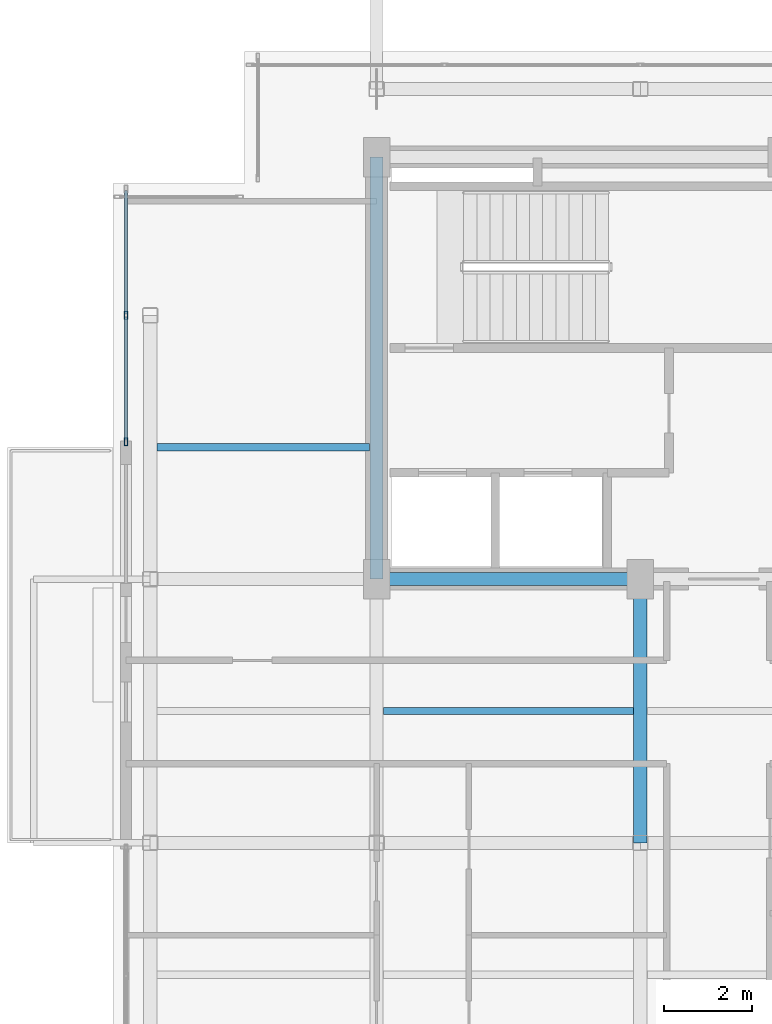
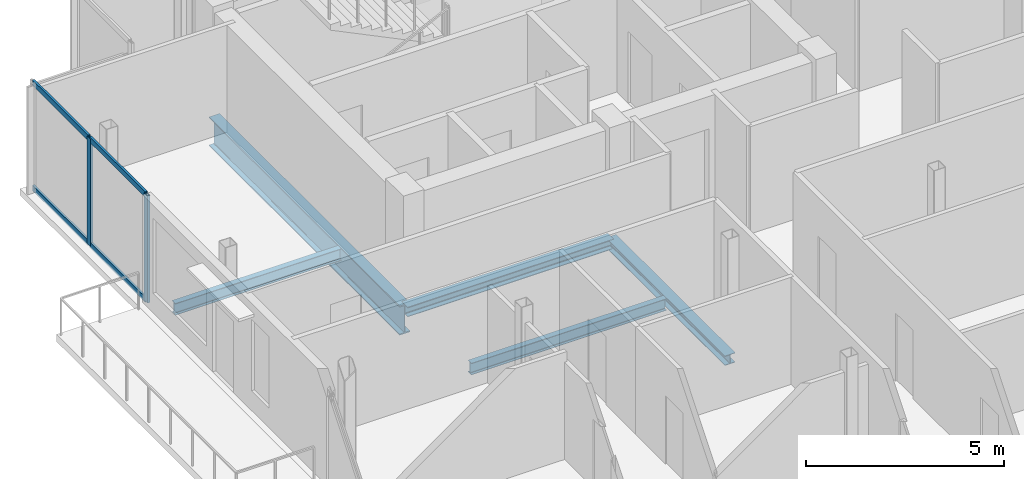
# One storey, part 7 of 18: 6 members, 5 beams, 1 element without a shape of its own.
"""IFC4 building model written with IfcOpenShell, lengths in metres."""

from ifc_helpers import new_model, si_unit, direction, frame, origin, origin_2d, place, context, subcontext, project, spatial, hollow_rectangle, i_section, extrude, material, layer, layer_set, material_profile, profile_set, type_object, element, aggregate, save


model = new_model("IFC4")

# Units and contexts
model_context = context("Model", 3, precision=1e-05, world=origin(), true_north=direction((0.0, 1.0)))
body_context = subcontext(model_context, "Body", "Model", "MODEL_VIEW")
ifc_project = project(units=[si_unit("LENGTHUNIT", "METRE"), si_unit("AREAUNIT", "SQUARE_METRE"), si_unit("VOLUMEUNIT", "CUBIC_METRE"), si_unit("PLANEANGLEUNIT", "RADIAN"), si_unit("MASSUNIT", "GRAM", prefix="KILO"), si_unit("THERMODYNAMICTEMPERATUREUNIT", "KELVIN"), si_unit("POWERUNIT", "WATT")], contexts=[model_context])

# Site, building, storey
site_placement = place(None, origin())
site = spatial("IfcSite", under=ifc_project, at=site_placement, CompositionType="ELEMENT")
building_placement = place(site_placement, origin())
building = spatial("IfcBuilding", under=site, at=building_placement, Name="Svarakhadi Broadcast Tower", CompositionType="ELEMENT")
storey_placement = place(building_placement, frame((0.0, 0.0, 264.199951171875)))
storey = spatial("IfcBuildingStorey", under=building, at=storey_placement, Name="L66", CompositionType="ELEMENT", Elevation=264.199951171875)

# Beams
ifc_material_1 = material(Name="Steel S355J2 (IS 2062 E350C)", Category="steel")
ifc_material_profile_1 = material_profile(ifc_material_1, i_section(OverallWidth=0.169921875, OverallDepth=0.360107421875, WebThickness=0.008056640625, FlangeThickness=0.0126953125, FilletRadius=0.01806640625, at=origin_2d()), Name="NPB 360x170x57")
ifc_profile_set_1 = profile_set([ifc_material_profile_1], Name="Steel S355J2 (IS 2062 E350C)")
beam_type_1 = type_object("IfcBeamType", Name="Beam_NPB360", PredefinedType="BEAM", material=ifc_profile_set_1)
beam_1_placement = place(storey_placement, frame((1.010009765625, 21.0, -0.3798828125), z_axis=(1.0, 0.0, 0.0), x_axis=(0.0, 1.0, 0.0)))
element("IfcBeam", 1, at=beam_1_placement, inside=storey, type_object=beam_type_1, Name="L66 Secondary Composite Beam SB003", PredefinedType="BEAM", context=body_context, shape_type="SweptSolid", body=[
    extrude(i_section(OverallWidth=0.169921875, OverallDepth=0.360107421875, WebThickness=0.008056640625, FlangeThickness=0.0126953125, FilletRadius=0.01806640625, at=origin_2d()), origin(), (0.0, 0.0, 1.0), 4.830078125),
])
beam_2_placement = place(storey_placement, frame((6.159912109375, 15.0, -0.3798828125), z_axis=(1.0, 0.0, 0.0), x_axis=(0.0, 1.0, 0.0)))
element("IfcBeam", 2, at=beam_2_placement, inside=storey, type_object=beam_type_1, Name="L66 Secondary Composite Beam SB006", PredefinedType="BEAM", context=body_context, shape_type="SweptSolid", body=[
    extrude(i_section(OverallWidth=0.169921875, OverallDepth=0.360107421875, WebThickness=0.008056640625, FlangeThickness=0.0126953125, FilletRadius=0.01806640625, at=origin_2d()), origin(), (0.0, 0.0, 1.0), 5.68017578125),
])

# Curtain wall, members
ifc_material_2 = material(Name="Anodised Bronze Aluminium AA 6063-T6", Category="aluminium")
ifc_layer = layer(ifc_material_2, 0.179931640625)
ifc_layer_set = layer_set([ifc_layer], Name="Anodised Bronze Aluminium AA 6063-T6")
curtain_wall_type = type_object("IfcCurtainWallType", Name="CW_Sys_05", PredefinedType="NOTDEFINED", material=ifc_layer_set)
curtain_wall_placement = place(storey_placement, origin())
curtain_wall = element("IfcCurtainWall", 3, at=curtain_wall_placement, inside=storey, type_object=curtain_wall_type, Name="L66 West Curtain Wall 03", PredefinedType="NOTDEFINED")
ifc_material_profile_2 = material_profile(ifc_material_2, hollow_rectangle(XDim=0.070068359375, YDim=0.179931640625, WallThickness=0.005615234375, at=origin_2d()), Name="ALU MULLION 180x70x6")
ifc_profile_set_2 = profile_set([ifc_material_profile_2], Name="Anodised Bronze Aluminium AA 6063-T6")
member_type_1 = type_object("IfcMemberType", Name="CW_Sys_05_Mul", PredefinedType="MULLION", material=ifc_profile_set_2)
member_1_placement = place(storey_placement, frame((0.300048828125, 21.125, 0.0), z_axis=(0.0, 0.0, 1.0), x_axis=(-1.0, 0.0, 0.0)))
member_1 = element("IfcMember", 4, at=member_1_placement, type_object=member_type_1, Name="CW-05 mullion 1", PredefinedType="MULLION", context=body_context, shape_type="SweptSolid", body=[
    extrude(hollow_rectangle(XDim=0.070068359375, YDim=0.179931640625, WallThickness=0.005615234375, at=origin_2d()), origin(), (0.0, 0.0, 1.0), 3.300048828125),
])
member_2_placement = place(storey_placement, frame((0.300048828125, 24.0, 0.0), z_axis=(0.0, 0.0, 1.0), x_axis=(-1.0, 0.0, 0.0)))
member_2 = element("IfcMember", 5, at=member_2_placement, type_object=member_type_1, Name="CW-05 mullion 2", PredefinedType="MULLION", context=body_context, shape_type="SweptSolid", body=[
    extrude(hollow_rectangle(XDim=0.070068359375, YDim=0.179931640625, WallThickness=0.005615234375, at=origin_2d()), origin(), (0.0, 0.0, 1.0), 3.300048828125),
])
ifc_material_profile_3 = material_profile(ifc_material_2, hollow_rectangle(XDim=0.06494140625, YDim=0.1650390625, WallThickness=0.0048828125, at=origin_2d()), Name="ALU TRANSOM 165x65x5")
ifc_profile_set_3 = profile_set([ifc_material_profile_3], Name="Anodised Bronze Aluminium AA 6063-T6")
member_type_2 = type_object("IfcMemberType", Name="CW_Sys_05_Trn", PredefinedType="USERDEFINED", material=ifc_profile_set_3)
member_3_placement = place(storey_placement, frame((0.300048828125, 21.159912109375, 0.032470703125), z_axis=(0.0, 1.0, 0.0), x_axis=(-1.0, 0.0, 0.0)))
member_3 = element("IfcMember", 6, at=member_3_placement, type_object=member_type_2, Name="CW-05 transom 1.1", ObjectType="TRANSOM", PredefinedType="USERDEFINED", context=body_context, shape_type="SweptSolid", body=[
    extrude(hollow_rectangle(XDim=0.06494140625, YDim=0.1650390625, WallThickness=0.0048828125, at=origin_2d()), origin(), (0.0, 0.0, 1.0), 2.80517578125),
])
member_4_placement = place(storey_placement, frame((0.300048828125, 21.159912109375, 3.267578125), z_axis=(0.0, 1.0, 0.0), x_axis=(-1.0, 0.0, 0.0)))
member_4 = element("IfcMember", 7, at=member_4_placement, type_object=member_type_2, Name="CW-05 transom 1.2", ObjectType="TRANSOM", PredefinedType="USERDEFINED", context=body_context, shape_type="SweptSolid", body=[
    extrude(hollow_rectangle(XDim=0.06494140625, YDim=0.1650390625, WallThickness=0.0048828125, at=origin_2d()), origin(), (0.0, 0.0, 1.0), 2.80517578125),
])
member_5_placement = place(storey_placement, frame((0.300048828125, 24.034912109375, 0.032470703125), z_axis=(0.0, 1.0, 0.0), x_axis=(-1.0, 0.0, 0.0)))
member_5 = element("IfcMember", 8, at=member_5_placement, type_object=member_type_2, Name="CW-05 transom 2.1", ObjectType="TRANSOM", PredefinedType="USERDEFINED", context=body_context, shape_type="SweptSolid", body=[
    extrude(hollow_rectangle(XDim=0.06494140625, YDim=0.1650390625, WallThickness=0.0048828125, at=origin_2d()), origin(), (0.0, 0.0, 1.0), 2.80517578125),
])
member_6_placement = place(storey_placement, frame((0.300048828125, 24.034912109375, 3.267578125), z_axis=(0.0, 1.0, 0.0), x_axis=(-1.0, 0.0, 0.0)))
member_6 = element("IfcMember", 9, at=member_6_placement, type_object=member_type_2, Name="CW-05 transom 2.2", ObjectType="TRANSOM", PredefinedType="USERDEFINED", context=body_context, shape_type="SweptSolid", body=[
    extrude(hollow_rectangle(XDim=0.06494140625, YDim=0.1650390625, WallThickness=0.0048828125, at=origin_2d()), origin(), (0.0, 0.0, 1.0), 2.80517578125),
])
aggregate(curtain_wall, [member_1, member_2, member_3, member_4, member_5, member_6])

# Beams
ifc_material_profile_4 = material_profile(ifc_material_1, i_section(OverallWidth=0.300048828125, OverallDepth=0.300048828125, WebThickness=0.010986328125, FlangeThickness=0.01904296875, FilletRadius=0.027099609375, at=origin_2d()), Name="WPB 300x300x117")
ifc_profile_set_4 = profile_set([ifc_material_profile_4], Name="Steel S355J2 (IS 2062 E350C)")
beam_type_2 = type_object("IfcBeamType", Name="Girder_WPB300", PredefinedType="USERDEFINED", material=ifc_profile_set_4)
for number, where, z_axis, x_axis, name in (
    (10, (6.0, 18.0, -0.349853515625), (1.0, 0.0, 0.0), (0.0, 1.0, 0.0), "L66 Primary E-W Girder G018"),
    (11, (12.0, 12.0, -0.349853515625), (0.0, 1.0, 0.0), (-1.0, 0.0, 0.0), "L66 Primary N-S Girder G035"),
):
    element("IfcBeam", number, at=place(storey_placement, frame(where, z_axis=z_axis, x_axis=x_axis)), inside=storey, type_object=beam_type_2, Name=name, ObjectType="GIRDER", PredefinedType="USERDEFINED", context=body_context, shape_type="SweptSolid", body=[
        extrude(i_section(OverallWidth=0.300048828125, OverallDepth=0.300048828125, WebThickness=0.010986328125, FlangeThickness=0.01904296875, FilletRadius=0.027099609375, at=origin_2d()), origin(), (0.0, 0.0, 1.0), 6.0),
    ])
ifc_material_3 = material(Name="Steel S460ML (IS 2062 E450BR)", Category="steel")
ifc_material_profile_5 = material_profile(ifc_material_3, i_section(OverallWidth=0.300048828125, OverallDepth=0.89990234375, WebThickness=0.0185546875, FlangeThickness=0.034912109375, FilletRadius=0.030029296875, at=origin_2d()), Name="WPB 900x300x291")
ifc_profile_set_5 = profile_set([ifc_material_profile_5], Name="Steel S460ML (IS 2062 E450BR)")
beam_type_3 = type_object("IfcBeamType", Name="Girder_WPB900", PredefinedType="USERDEFINED", material=ifc_profile_set_5)
beam_3_placement = place(storey_placement, frame((6.0, 18.0, -0.64990234375), z_axis=(0.0, 1.0, 0.0), x_axis=(-1.0, 0.0, 0.0)))
element("IfcBeam", 12, at=beam_3_placement, inside=storey, type_object=beam_type_3, Name="L66 Primary N-S Girder G032", ObjectType="GIRDER", PredefinedType="USERDEFINED", context=body_context, shape_type="SweptSolid", body=[
    extrude(i_section(OverallWidth=0.300048828125, OverallDepth=0.89990234375, WebThickness=0.0185546875, FlangeThickness=0.034912109375, FilletRadius=0.030029296875, at=origin_2d()), origin(), (0.0, 0.0, 1.0), 9.60009765625),
])

save(model, "model.ifc")
